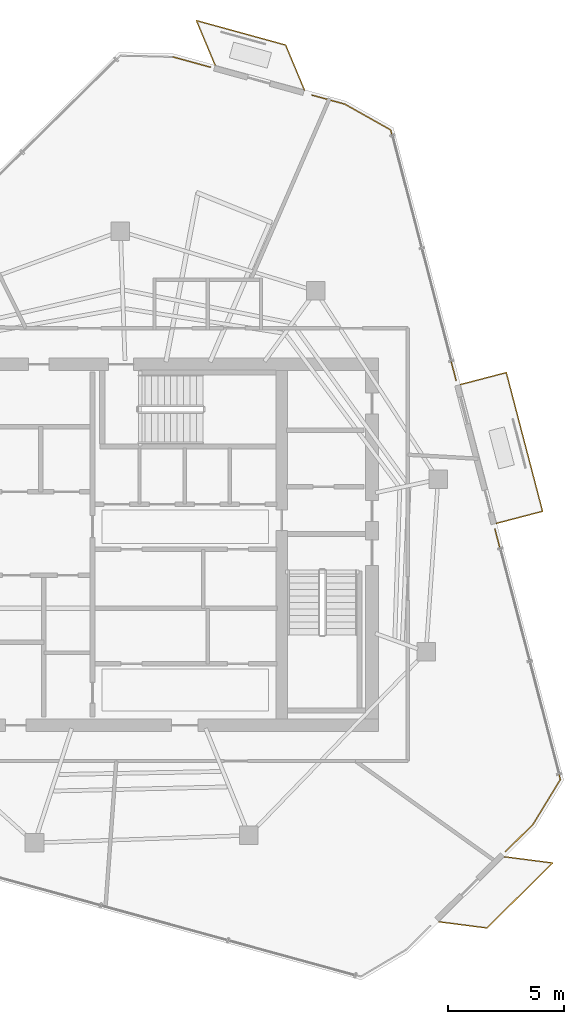
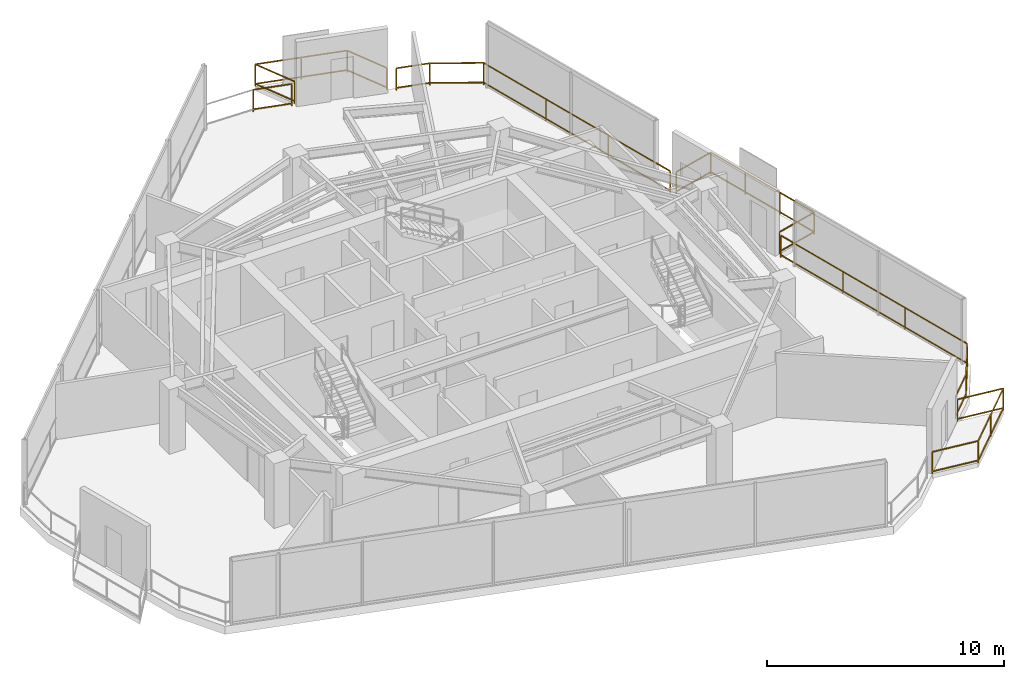
# One storey, part 19 of 19: 6 railings.
"""IFC4 building model written with IfcOpenShell, lengths in metres."""

from ifc_helpers import new_model, si_unit, direction, frame, origin, origin_2d, place, context, subcontext, project, spatial, rectangle, extrude, material, type_object, element, save


model = new_model("IFC4")

# Units and contexts
model_context = context("Model", 3, precision=1e-05, world=origin(), true_north=direction((0.0, 1.0)))
body_context = subcontext(model_context, "Body", "Model", "MODEL_VIEW")
ifc_project = project(units=[si_unit("LENGTHUNIT", "METRE"), si_unit("AREAUNIT", "SQUARE_METRE"), si_unit("VOLUMEUNIT", "CUBIC_METRE"), si_unit("PLANEANGLEUNIT", "RADIAN"), si_unit("MASSUNIT", "GRAM", prefix="KILO")], contexts=[model_context])

# Site, building, storey
site_placement = place(None, origin())
site = spatial("IfcSite", under=ifc_project, at=site_placement, CompositionType="ELEMENT")
building_placement = place(site_placement, origin())
building = spatial("IfcBuilding", under=site, at=building_placement, Name="Qarnah Convention Tower", CompositionType="ELEMENT")
storey_placement = place(building_placement, frame((0.0, 0.0, 235.5)))
storey = spatial("IfcBuildingStorey", under=building, at=storey_placement, Name="L63", CompositionType="ELEMENT", Elevation=235.5)

# Railings
ifc_material_1 = material(Name="Tempered Low-E dark glass", Category="glass")
railing_type_1 = type_object("IfcRailingType", Name="RL-BALUSTRADE-1150", PredefinedType="BALUSTRADE", material=ifc_material_1)
railing_1_placement = place(storey_placement, frame((51.41796875, 33.318115234375, 0.0)))
element("IfcRailing", 1, at=railing_1_placement, inside=storey, type_object=railing_type_1, Name="L63 balcony safety guard SG-L63", PredefinedType="BALUSTRADE", context=body_context, shape_type="SweptSolid", body=[
    extrude(rectangle(XDim=0.048095703125, YDim=0.048095703125, at=origin_2d()), frame((0.0, 0.0, 1.1259765625), z_axis=(0.967590715882, 0.252523675204, 0.0), x_axis=(-0.252523675204, 0.967590715882, 0.0)), (0.0, 0.0, 1.0), 2.050537109375),
    extrude(rectangle(XDim=0.048095703125, YDim=0.048095703125, at=origin_2d()), frame((0.0, 0.0, 0.1201171875), z_axis=(0.967590715882, 0.252523675204, 0.0), x_axis=(-0.252523675204, 0.967590715882, 0.0)), (0.0, 0.0, 1.0), 2.050537109375),
    extrude(rectangle(XDim=0.048095703125, YDim=0.048095703125, at=origin_2d()), frame((1.984130859375, 0.517822265625, 1.1259765625), z_axis=(0.252752131606, -0.967531064085, 0.0), x_axis=(0.967531064085, 0.252752131606, 0.0)), (0.0, 0.0, 1.0), 6.19921875),
    extrude(rectangle(XDim=0.048095703125, YDim=0.048095703125, at=origin_2d()), frame((1.984130859375, 0.517822265625, 0.1201171875), z_axis=(0.252752131606, -0.967531064085, 0.0), x_axis=(0.967531064085, 0.252752131606, 0.0)), (0.0, 0.0, 1.0), 6.19921875),
    extrude(rectangle(XDim=0.048095703125, YDim=0.048095703125, at=origin_2d()), frame((3.551025390625, -5.480224609375, 1.1259765625), z_axis=(-0.967583122405, -0.252552769213, 0.0), x_axis=(0.252552769213, -0.967583122405, 0.0)), (0.0, 0.0, 1.0), 2.05029296875),
    extrude(rectangle(XDim=0.048095703125, YDim=0.048095703125, at=origin_2d()), frame((3.551025390625, -5.480224609375, 0.1201171875), z_axis=(-0.967583122405, -0.252552769213, 0.0), x_axis=(0.252552769213, -0.967583122405, 0.0)), (0.0, 0.0, 1.0), 2.05029296875),
    extrude(rectangle(XDim=0.0419921875, YDim=0.0419921875, at=origin_2d()), origin(), (0.0, 0.0, 1.0), 1.101806640625),
    extrude(rectangle(XDim=0.0419921875, YDim=0.0419921875, at=origin_2d()), frame((1.984130859375, 0.517822265625, 0.0)), (0.0, 0.0, 1.0), 1.101806640625),
    extrude(rectangle(XDim=0.0419921875, YDim=0.0419921875, at=origin_2d()), frame((2.50634765625, -1.4814453125, 0.0)), (0.0, 0.0, 1.0), 1.101806640625),
    extrude(rectangle(XDim=0.0419921875, YDim=0.0419921875, at=origin_2d()), frame((3.02880859375, -3.48095703125, 0.0)), (0.0, 0.0, 1.0), 1.101806640625),
    extrude(rectangle(XDim=0.0419921875, YDim=0.0419921875, at=origin_2d()), frame((3.551025390625, -5.480224609375, 0.0)), (0.0, 0.0, 1.0), 1.101806640625),
    extrude(rectangle(XDim=0.0419921875, YDim=0.0419921875, at=origin_2d()), frame((1.567138671875, -5.998046875, 0.0)), (0.0, 0.0, 1.0), 1.101806640625),
])
ifc_material_2 = material(Name="Black anodised aluminium", Category="aluminium")
railing_type_2 = type_object("IfcRailingType", Name="RL-EXT-GUARD-1150", PredefinedType="GUARDRAIL", material=ifc_material_2)
railing_2_placement = place(storey_placement, frame((38.9951171875, 47.47509765625, 0.0)))
element("IfcRailing", 2, at=railing_2_placement, inside=storey, type_object=railing_type_2, Name="L63 slab-edge perimeter safety guard 01", PredefinedType="GUARDRAIL", context=body_context, shape_type="SweptSolid", body=[
    extrude(rectangle(XDim=0.048095703125, YDim=0.048095703125, at=origin_2d()), frame((0.0, 0.0, 1.1259765625), z_axis=(0.964332702852, -0.26469310193, 0.0), x_axis=(0.26469310193, 0.964332702852, 0.0)), (0.0, 0.0, 1.0), 1.677734375),
    extrude(rectangle(XDim=0.048095703125, YDim=0.048095703125, at=origin_2d()), frame((0.0, 0.0, 0.1201171875), z_axis=(0.964332702852, -0.26469310193, 0.0), x_axis=(0.26469310193, 0.964332702852, 0.0)), (0.0, 0.0, 1.0), 1.677734375),
    extrude(rectangle(XDim=0.0419921875, YDim=0.0419921875, at=origin_2d()), origin(), (0.0, 0.0, 1.0), 1.101806640625),
    extrude(rectangle(XDim=0.0419921875, YDim=0.0419921875, at=origin_2d()), frame((1.617919921875, -0.444091796875, 0.0)), (0.0, 0.0, 1.0), 1.101806640625),
])
railing_3_placement = place(storey_placement, frame((45.008056640625, 45.822998046875, 0.0)))
element("IfcRailing", 3, at=railing_3_placement, inside=storey, type_object=railing_type_2, Name="L63 slab-edge perimeter safety guard 02", PredefinedType="GUARDRAIL", context=body_context, shape_type="SweptSolid", body=[
    extrude(rectangle(XDim=0.048095703125, YDim=0.048095703125, at=origin_2d()), frame((0.0, 0.0, 1.1259765625), z_axis=(0.964413545293, -0.264398399495, 0.0), x_axis=(0.264398399495, 0.964413545293, 0.0)), (0.0, 0.0, 1.0), 1.46728515625),
    extrude(rectangle(XDim=0.048095703125, YDim=0.048095703125, at=origin_2d()), frame((0.0, 0.0, 0.1201171875), z_axis=(0.964413545293, -0.264398399495, 0.0), x_axis=(0.264398399495, 0.964413545293, 0.0)), (0.0, 0.0, 1.0), 1.46728515625),
    extrude(rectangle(XDim=0.048095703125, YDim=0.048095703125, at=origin_2d()), frame((1.4150390625, -0.387939453125, 1.1259765625), z_axis=(0.871443566101, -0.49049578092, 0.0), x_axis=(0.49049578092, 0.871443566101, 0.0)), (0.0, 0.0, 1.0), 2.273193359375),
    extrude(rectangle(XDim=0.048095703125, YDim=0.048095703125, at=origin_2d()), frame((1.4150390625, -0.387939453125, 0.1201171875), z_axis=(0.871443566101, -0.49049578092, 0.0), x_axis=(0.49049578092, 0.871443566101, 0.0)), (0.0, 0.0, 1.0), 2.273193359375),
    extrude(rectangle(XDim=0.048095703125, YDim=0.048095703125, at=origin_2d()), frame((3.39599609375, -1.5029296875, 1.1259765625), z_axis=(0.252715967874, -0.967540510564, 0.0), x_axis=(0.967540510564, 0.252715967874, 0.0)), (0.0, 0.0, 1.0), 11.18603515625),
    extrude(rectangle(XDim=0.048095703125, YDim=0.048095703125, at=origin_2d()), frame((3.39599609375, -1.5029296875, 0.1201171875), z_axis=(0.252715967874, -0.967540510564, 0.0), x_axis=(0.967540510564, 0.252715967874, 0.0)), (0.0, 0.0, 1.0), 11.18603515625),
    extrude(rectangle(XDim=0.0419921875, YDim=0.0419921875, at=origin_2d()), origin(), (0.0, 0.0, 1.0), 1.101806640625),
    extrude(rectangle(XDim=0.0419921875, YDim=0.0419921875, at=origin_2d()), frame((1.4150390625, -0.387939453125, 0.0)), (0.0, 0.0, 1.0), 1.101806640625),
    extrude(rectangle(XDim=0.0419921875, YDim=0.0419921875, at=origin_2d()), frame((3.39599609375, -1.5029296875, 0.0)), (0.0, 0.0, 1.0), 1.101806640625),
    extrude(rectangle(XDim=0.0419921875, YDim=0.0419921875, at=origin_2d()), frame((4.33837890625, -5.110595703125, 0.0)), (0.0, 0.0, 1.0), 1.101806640625),
    extrude(rectangle(XDim=0.0419921875, YDim=0.0419921875, at=origin_2d()), frame((5.280517578125, -8.71826171875, 0.0)), (0.0, 0.0, 1.0), 1.101806640625),
    extrude(rectangle(XDim=0.0419921875, YDim=0.0419921875, at=origin_2d()), frame((6.222900390625, -12.325927734375, 0.0)), (0.0, 0.0, 1.0), 1.101806640625),
])
railing_4_placement = place(storey_placement, frame((52.908935546875, 27.072998046875, 0.0)))
element("IfcRailing", 4, at=railing_4_placement, inside=storey, type_object=railing_type_2, Name="L63 slab-edge perimeter safety guard 03", PredefinedType="GUARDRAIL", context=body_context, shape_type="SweptSolid", body=[
    extrude(rectangle(XDim=0.048095703125, YDim=0.048095703125, at=origin_2d()), frame((0.0, 0.0, 1.1259765625), z_axis=(0.252796769025, -0.967519402168, 0.0), x_axis=(0.967519402168, 0.252796769025, 0.0)), (0.0, 0.0, 1.0), 11.187255859375),
    extrude(rectangle(XDim=0.048095703125, YDim=0.048095703125, at=origin_2d()), frame((0.0, 0.0, 0.1201171875), z_axis=(0.252796769025, -0.967519402168, 0.0), x_axis=(0.967519402168, 0.252796769025, 0.0)), (0.0, 0.0, 1.0), 11.187255859375),
    extrude(rectangle(XDim=0.048095703125, YDim=0.048095703125, at=origin_2d()), frame((2.828125, -10.823974609375, 1.1259765625), z_axis=(-0.52067619453, -0.853754238906, 0.0), x_axis=(0.853754238906, -0.52067619453, 0.0)), (0.0, 0.0, 1.0), 2.272216796875),
    extrude(rectangle(XDim=0.048095703125, YDim=0.048095703125, at=origin_2d()), frame((2.828125, -10.823974609375, 0.1201171875), z_axis=(-0.52067619453, -0.853754238906, 0.0), x_axis=(0.853754238906, -0.52067619453, 0.0)), (0.0, 0.0, 1.0), 2.272216796875),
    extrude(rectangle(XDim=0.048095703125, YDim=0.048095703125, at=origin_2d()), frame((1.64501953125, -12.763916015625, 1.1259765625), z_axis=(-0.711167178618, -0.70302293281, 0.0), x_axis=(0.70302293281, -0.711167178618, 0.0)), (0.0, 0.0, 1.0), 1.6787109375),
    extrude(rectangle(XDim=0.048095703125, YDim=0.048095703125, at=origin_2d()), frame((1.64501953125, -12.763916015625, 0.1201171875), z_axis=(-0.711167178618, -0.70302293281, 0.0), x_axis=(0.70302293281, -0.711167178618, 0.0)), (0.0, 0.0, 1.0), 1.6787109375),
    extrude(rectangle(XDim=0.0419921875, YDim=0.0419921875, at=origin_2d()), origin(), (0.0, 0.0, 1.0), 1.101806640625),
    extrude(rectangle(XDim=0.0419921875, YDim=0.0419921875, at=origin_2d()), frame((0.942626953125, -3.60791015625, 0.0)), (0.0, 0.0, 1.0), 1.101806640625),
    extrude(rectangle(XDim=0.0419921875, YDim=0.0419921875, at=origin_2d()), frame((1.885498046875, -7.216064453125, 0.0)), (0.0, 0.0, 1.0), 1.101806640625),
    extrude(rectangle(XDim=0.0419921875, YDim=0.0419921875, at=origin_2d()), frame((2.828125, -10.823974609375, 0.0)), (0.0, 0.0, 1.0), 1.101806640625),
    extrude(rectangle(XDim=0.0419921875, YDim=0.0419921875, at=origin_2d()), frame((1.64501953125, -12.763916015625, 0.0)), (0.0, 0.0, 1.0), 1.101806640625),
    extrude(rectangle(XDim=0.0419921875, YDim=0.0419921875, at=origin_2d()), frame((0.451171875, -13.944091796875, 0.0)), (0.0, 0.0, 1.0), 1.101806640625),
])
railing_5_placement = place(storey_placement, frame((40.81591796875, 47.114990234375, 0.0)))
element("IfcRailing", 5, at=railing_5_placement, inside=storey, type_object=railing_type_2, Name="L63 balcony safety guard BAL-L63-C1", PredefinedType="GUARDRAIL", context=body_context, shape_type="SweptSolid", body=[
    extrude(rectangle(XDim=0.048095703125, YDim=0.048095703125, at=origin_2d()), frame((0.0, 0.0, 1.1259765625), z_axis=(-0.384963147615, 0.922931944933, 0.0), x_axis=(-0.922931944933, -0.384963147615, 0.0)), (0.0, 0.0, 1.0), 2.093505859375),
    extrude(rectangle(XDim=0.048095703125, YDim=0.048095703125, at=origin_2d()), frame((0.0, 0.0, 0.1201171875), z_axis=(-0.384963147615, 0.922931944933, 0.0), x_axis=(-0.922931944933, -0.384963147615, 0.0)), (0.0, 0.0, 1.0), 2.093505859375),
    extrude(rectangle(XDim=0.048095703125, YDim=0.048095703125, at=origin_2d()), frame((-0.805908203125, 1.93212890625, 1.1259765625), z_axis=(0.964305980397, -0.264790438218, 0.0), x_axis=(0.264790438218, 0.964305980397, 0.0)), (0.0, 0.0, 1.0), 3.999755859375),
    extrude(rectangle(XDim=0.048095703125, YDim=0.048095703125, at=origin_2d()), frame((-0.805908203125, 1.93212890625, 0.1201171875), z_axis=(0.964305980397, -0.264790438218, 0.0), x_axis=(0.264790438218, 0.964305980397, 0.0)), (0.0, 0.0, 1.0), 3.999755859375),
    extrude(rectangle(XDim=0.048095703125, YDim=0.048095703125, at=origin_2d()), frame((3.051025390625, 0.873046875, 1.1259765625), z_axis=(0.38489677748, -0.922959625707, 0.0), x_axis=(0.922959625707, 0.38489677748, 0.0)), (0.0, 0.0, 1.0), 2.094482421875),
    extrude(rectangle(XDim=0.048095703125, YDim=0.048095703125, at=origin_2d()), frame((3.051025390625, 0.873046875, 0.1201171875), z_axis=(0.38489677748, -0.922959625707, 0.0), x_axis=(0.922959625707, 0.38489677748, 0.0)), (0.0, 0.0, 1.0), 2.094482421875),
    extrude(rectangle(XDim=0.0419921875, YDim=0.0419921875, at=origin_2d()), origin(), (0.0, 0.0, 1.0), 1.101806640625),
    extrude(rectangle(XDim=0.0419921875, YDim=0.0419921875, at=origin_2d()), frame((-0.805908203125, 1.93212890625, 0.0)), (0.0, 0.0, 1.0), 1.101806640625),
    extrude(rectangle(XDim=0.0419921875, YDim=0.0419921875, at=origin_2d()), frame((1.12255859375, 1.402587890625, 0.0)), (0.0, 0.0, 1.0), 1.101806640625),
    extrude(rectangle(XDim=0.0419921875, YDim=0.0419921875, at=origin_2d()), frame((3.051025390625, 0.873046875, 0.0)), (0.0, 0.0, 1.0), 1.101806640625),
    extrude(rectangle(XDim=0.0419921875, YDim=0.0419921875, at=origin_2d()), frame((3.857177734375, -1.06005859375, 0.0)), (0.0, 0.0, 1.0), 1.101806640625),
])
railing_6_placement = place(storey_placement, frame((53.3310546875, 12.910888671875, 0.0)))
element("IfcRailing", 6, at=railing_6_placement, inside=storey, type_object=railing_type_2, Name="L63 balcony safety guard BAL-L63-C3", PredefinedType="GUARDRAIL", context=body_context, shape_type="SweptSolid", body=[
    extrude(rectangle(XDim=0.048095703125, YDim=0.048095703125, at=origin_2d()), frame((0.0, 0.0, 1.1259765625), z_axis=(0.991787887269, -0.127893653736, 0.0), x_axis=(0.127893653736, 0.991787887269, 0.0)), (0.0, 0.0, 1.0), 2.093994140625),
    extrude(rectangle(XDim=0.048095703125, YDim=0.048095703125, at=origin_2d()), frame((0.0, 0.0, 0.1201171875), z_axis=(0.991787887269, -0.127893653736, 0.0), x_axis=(0.127893653736, 0.991787887269, 0.0)), (0.0, 0.0, 1.0), 2.093994140625),
    extrude(rectangle(XDim=0.048095703125, YDim=0.048095703125, at=origin_2d()), frame((2.076904296875, -0.267822265625, 1.1259765625), z_axis=(-0.711457147297, -0.702729483913, 0.0), x_axis=(0.702729483913, -0.711457147297, 0.0)), (0.0, 0.0, 1.0), 4.000244140625),
    extrude(rectangle(XDim=0.048095703125, YDim=0.048095703125, at=origin_2d()), frame((2.076904296875, -0.267822265625, 0.1201171875), z_axis=(-0.711457147297, -0.702729483913, 0.0), x_axis=(0.702729483913, -0.711457147297, 0.0)), (0.0, 0.0, 1.0), 4.000244140625),
    extrude(rectangle(XDim=0.048095703125, YDim=0.048095703125, at=origin_2d()), frame((-0.76904296875, -3.078857421875, 1.1259765625), z_axis=(-0.991773092836, 0.128008329133, 0.0), x_axis=(-0.128008329133, -0.991773092836, 0.0)), (0.0, 0.0, 1.0), 2.09423828125),
    extrude(rectangle(XDim=0.048095703125, YDim=0.048095703125, at=origin_2d()), frame((-0.76904296875, -3.078857421875, 0.1201171875), z_axis=(-0.991773092836, 0.128008329133, 0.0), x_axis=(-0.128008329133, -0.991773092836, 0.0)), (0.0, 0.0, 1.0), 2.09423828125),
    extrude(rectangle(XDim=0.0419921875, YDim=0.0419921875, at=origin_2d()), origin(), (0.0, 0.0, 1.0), 1.101806640625),
    extrude(rectangle(XDim=0.0419921875, YDim=0.0419921875, at=origin_2d()), frame((2.076904296875, -0.267822265625, 0.0)), (0.0, 0.0, 1.0), 1.101806640625),
    extrude(rectangle(XDim=0.0419921875, YDim=0.0419921875, at=origin_2d()), frame((0.65380859375, -1.67333984375, 0.0)), (0.0, 0.0, 1.0), 1.101806640625),
    extrude(rectangle(XDim=0.0419921875, YDim=0.0419921875, at=origin_2d()), frame((-0.76904296875, -3.078857421875, 0.0)), (0.0, 0.0, 1.0), 1.101806640625),
    extrude(rectangle(XDim=0.0419921875, YDim=0.0419921875, at=origin_2d()), frame((-2.845947265625, -2.810791015625, 0.0)), (0.0, 0.0, 1.0), 1.101806640625),
])

save(model, "model.ifc")
